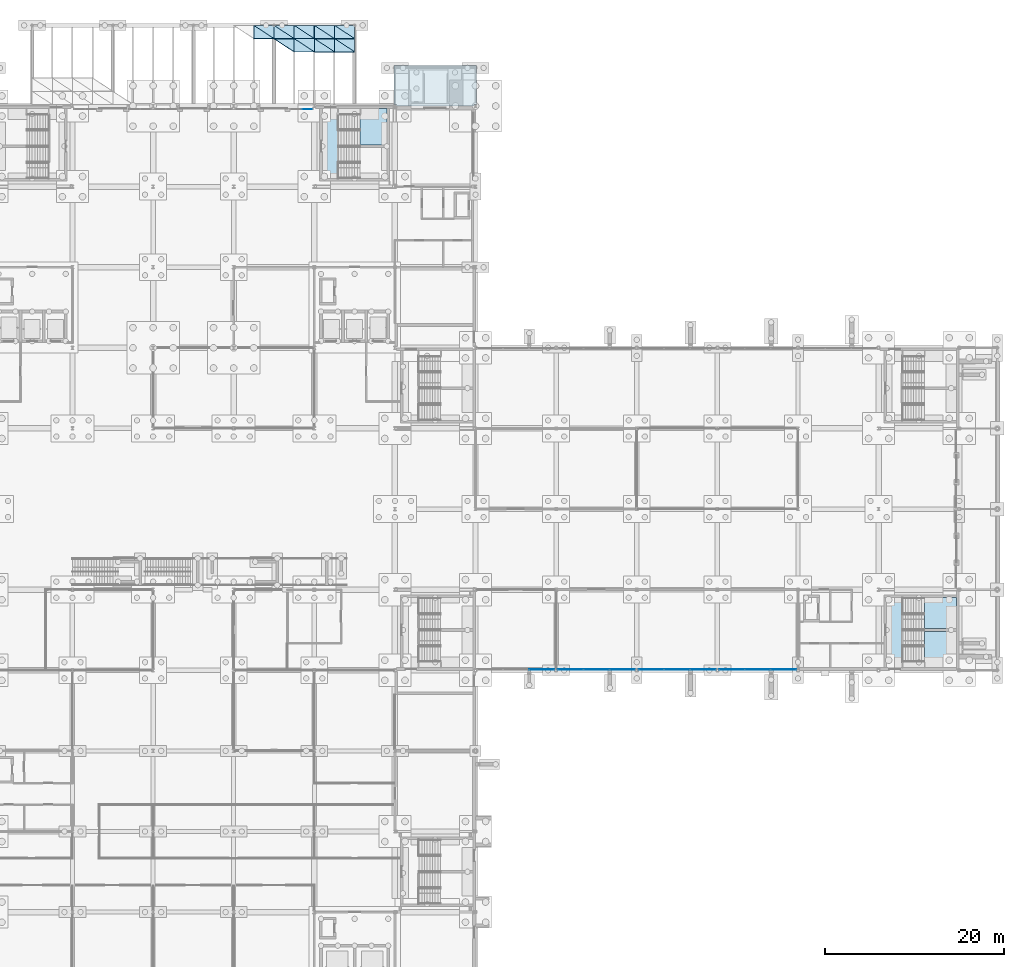
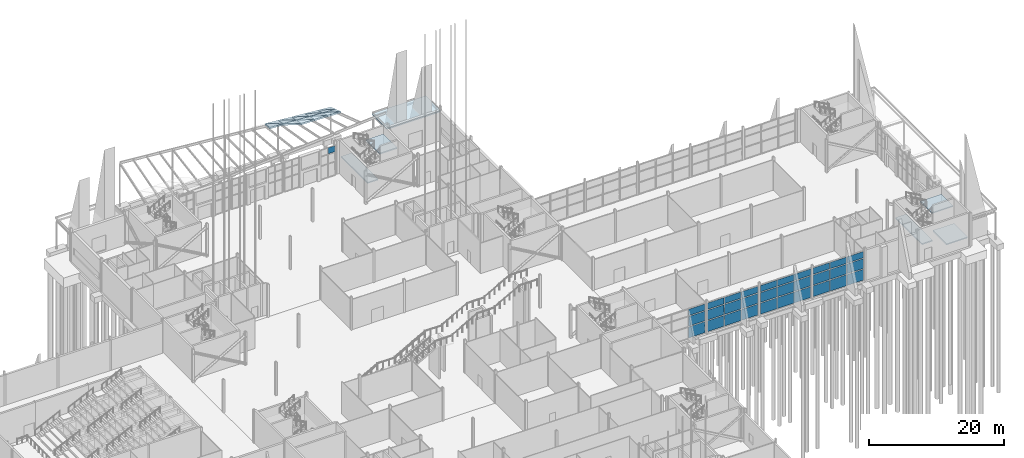
# One storey, part 94 of 139: 31 plates, 23 slabs, 7 elements without a shape of their own.
"""IFC4 building model written with IfcOpenShell, lengths in metres."""

import ifcopenshell
import ifcopenshell.guid

model = None  # the IFC model being written
_history = None  # IfcOwnerHistory: only IFC2X3 demands one
_inside = {}  # id of a spatial element -> (the spatial element, [elements in it])
_under = {}  # id of a project, library or spatial element -> (it, [spatial elements below it])
_declared = {}  # id of a project -> (the project, [libraries it declares])
_typed = {}  # id of a type object -> (the type object, [elements of that type])
_made_of = {}  # id of a material, layer set ... -> (it, [elements and type objects made of it])


def new_model(schema):
    """Start an empty IFC model of exactly this schema.

    Asked for "IFC4X3", IfcOpenShell would pick the latest addendum, in which some entities
    have other attributes; the version numbers below select the first issue.
    IFC2X3 requires an IfcOwnerHistory on every rooted entity: one is made here for all.
    """
    global model, _history
    if schema == "IFC4X3":
        model = ifcopenshell.file(schema_version=(4, 3, 0, 0))
    else:
        model = ifcopenshell.file(schema=schema)
    _inside.clear()
    _under.clear()
    _declared.clear()
    _typed.clear()
    _made_of.clear()
    _history = None
    if model.schema == "IFC2X3":
        org = make("IfcOrganization", Name="unknown")
        user = make(
            "IfcPersonAndOrganization",
            ThePerson=make("IfcPerson", FamilyName="unknown"),
            TheOrganization=org,
        )
        app = make(
            "IfcApplication",
            ApplicationDeveloper=org,
            Version="unknown",
            ApplicationFullName="unknown",
            ApplicationIdentifier="unknown",
        )
        _history = make(
            "IfcOwnerHistory",
            OwningUser=user,
            OwningApplication=app,
            ChangeAction="ADDED",
            CreationDate=0,
        )
    return model


def make(cls, **values):
    """One entity of the class cls with the attributes given. An attribute that is None is left unset."""
    return model.create_entity(
        cls, **{name: value for name, value in values.items() if value is not None}
    )


def rooted(cls, **values):
    """An entity with a GlobalId (a new one), such as an element, a storey or a relation."""
    return make(cls, GlobalId=ifcopenshell.guid.new(), OwnerHistory=_history, **values)


def si_unit(unit_type, name, prefix=None):
    """IfcSIUnit, for example si_unit("LENGTHUNIT", "METRE", prefix="MILLI")."""
    return make("IfcSIUnit", UnitType=unit_type, Prefix=prefix, Name=name)


def assignment(units):
    """IfcUnitAssignment: the units of a project."""
    return None if units is None else make("IfcUnitAssignment", Units=units)


def point(xyz):
    """IfcCartesianPoint."""
    return None if xyz is None else make("IfcCartesianPoint", Coordinates=xyz)


def direction(xyz):
    """IfcDirection."""
    return None if xyz is None else make("IfcDirection", DirectionRatios=xyz)


def frame(location, z_axis=None, x_axis=None):
    """IfcAxis2Placement3D, a coordinate frame: its origin and axes. An axis left out is left unset."""
    return make(
        "IfcAxis2Placement3D",
        Location=point(location),
        Axis=direction(z_axis),
        RefDirection=direction(x_axis),
    )


def frame_2d(location, x_axis=None):
    """IfcAxis2Placement2D, a coordinate frame in the plane: its origin and x axis."""
    return make(
        "IfcAxis2Placement2D", Location=point(location), RefDirection=direction(x_axis)
    )


def origin():
    """The frame at (0, 0, 0) with its axes left unset."""
    return frame((0.0, 0.0, 0.0))


def origin_2d():
    """The frame at (0, 0) in the plane with its x axis left unset."""
    return frame_2d((0.0, 0.0))


def place(relative_to, where):
    """IfcLocalPlacement: puts the frame where relative to a parent placement (None: the world)."""
    return make(
        "IfcLocalPlacement", PlacementRelTo=relative_to, RelativePlacement=where
    )


def context(
    kind, dimensions, precision=None, world=None, true_north=None, identifier=None
):
    """IfcGeometricRepresentationContext, for example the 3D "Model" context."""
    return make(
        "IfcGeometricRepresentationContext",
        ContextIdentifier=identifier,
        ContextType=kind,
        CoordinateSpaceDimension=dimensions,
        Precision=precision,
        WorldCoordinateSystem=world,
        TrueNorth=true_north,
    )


def subcontext(parent, identifier, kind, view, scale=None):
    """IfcGeometricRepresentationSubContext, for example "Body" below "Model"."""
    return make(
        "IfcGeometricRepresentationSubContext",
        ContextIdentifier=identifier,
        ContextType=kind,
        ParentContext=parent,
        TargetScale=scale,
        TargetView=view,
    )


def project(units=None, contexts=None):
    """IfcProject with its units and contexts."""
    return rooted(
        "IfcProject",
        Name="project",
        RepresentationContexts=contexts,
        UnitsInContext=assignment(units),
    )


def spatial(cls, under=None, at=None, **own):
    """A site, building, storey or space (cls), placed at a placement, below another one or the project."""
    s = rooted(cls, ObjectPlacement=at, **own)
    if under is not None:
        _under.setdefault(under.id(), (under, []))[1].append(s)
    return s


def polyline(points):
    """IfcPolyline through the points."""
    return make("IfcPolyline", Points=[point(p) for p in points])


def profile(cls, at=None, kind="AREA", **sizes):
    """A parametric profile (cls). Its sizes go by their IFC names, for example OverallWidth=200.0."""
    return make(cls, ProfileType=kind, Position=at, **sizes)


def rectangle(**sizes):
    """IfcRectangleProfileDef."""
    return profile("IfcRectangleProfileDef", **sizes)


def outline(outer, holes=None, kind="AREA"):
    """IfcArbitraryClosedProfileDef: a profile drawn as a closed curve; with holes, ...WithVoids."""
    if holes is None:
        return make("IfcArbitraryClosedProfileDef", ProfileType=kind, OuterCurve=outer)
    return make(
        "IfcArbitraryProfileDefWithVoids",
        ProfileType=kind,
        OuterCurve=outer,
        InnerCurves=holes,
    )


def extrude(swept, where, along, depth):
    """IfcExtrudedAreaSolid: the profile swept, set in the frame where, extruded along a direction by depth."""
    return make(
        "IfcExtrudedAreaSolid",
        SweptArea=swept,
        Position=where,
        ExtrudedDirection=direction(along),
        Depth=depth,
    )


def shape(context_of_items, identifier, shape_type, items):
    """IfcShapeRepresentation: the items that make up one representation, for example the "Body"."""
    return make(
        "IfcShapeRepresentation",
        ContextOfItems=context_of_items,
        RepresentationIdentifier=identifier,
        RepresentationType=shape_type,
        Items=items,
    )


def material(Name=None, Category=None):
    """IfcMaterial."""
    return make("IfcMaterial", Name=Name, Category=Category)


def layer(
    of_material, thickness, ventilated=None, Name=None, Category=None, Priority=None
):
    """IfcMaterialLayer: one layer of a wall or slab, of a material (None: an air gap)."""
    return make(
        "IfcMaterialLayer",
        Material=of_material,
        LayerThickness=thickness,
        IsVentilated=ventilated,
        Name=Name,
        Category=Category,
        Priority=Priority,
    )


def layer_set(layers, Name=None):
    """IfcMaterialLayerSet."""
    return make("IfcMaterialLayerSet", MaterialLayers=layers, LayerSetName=Name)


def made_of(thing, what):
    """Note that an element or type object is made of a material, layer set ...; save() writes the relation."""
    if what is not None:
        _made_of.setdefault(what.id(), (what, []))[1].append(thing)
    return thing


def type_object(cls, material=None, **own):
    """A type object (cls), such as IfcWallType, which elements share."""
    return made_of(rooted(cls, **own), material)


def element(
    cls,
    number,
    at=None,
    inside=None,
    cuts=None,
    type_object=None,
    material=None,
    context=None,
    identifier="Body",
    shape_type=None,
    held_by="IfcProductDefinitionShape",
    body=None,
    shapes=None,
    **own,
):
    """One element of the class cls, such as IfcWall. Its Tag is "e" and its number.

    at: its placement. inside: the storey or other place that contains it. cuts: it is an
    opening in that element (IfcRelVoidsElement). A single representation is given by context,
    identifier, shape_type and body (its items); several are given by shapes. held_by: the class
    of the entity that holds the representations. save() writes the other relations.
    """
    e = rooted(cls, Tag="e%d" % number, ObjectPlacement=at, **own)
    if body is not None:
        shapes = [shape(context, identifier, shape_type, body)]
    if shapes is not None:
        e.Representation = make(held_by, Representations=shapes)
    if inside is not None:
        _inside.setdefault(inside.id(), (inside, []))[1].append(e)
    if cuts is not None:
        rooted(
            "IfcRelVoidsElement", RelatingBuildingElement=cuts, RelatedOpeningElement=e
        )
    if type_object is not None:
        _typed.setdefault(type_object.id(), (type_object, []))[1].append(e)
    return made_of(e, material)


def aggregate(whole, parts):
    """IfcRelAggregates: a whole, such as a stair, and the parts it consists of."""
    return rooted("IfcRelAggregates", RelatingObject=whole, RelatedObjects=parts)


def save(model, path):
    """Write the relations noted so far, then the file.

    IfcRelAggregates (storeys below a building ...), IfcRelContainedInSpatialStructure (elements
    in a storey), IfcRelDefinesByType, IfcRelAssociatesMaterial and IfcRelDeclares: one each for
    every whole, place, type object, material and project.
    """
    for whole, parts in _under.values():
        aggregate(whole, parts)
    for where, things in _inside.values():
        rooted(
            "IfcRelContainedInSpatialStructure",
            RelatedElements=things,
            RelatingStructure=where,
        )
    for kind, things in _typed.values():
        rooted("IfcRelDefinesByType", RelatedObjects=things, RelatingType=kind)
    for what, things in _made_of.values():
        rooted("IfcRelAssociatesMaterial", RelatedObjects=things, RelatingMaterial=what)
    for by, libraries in _declared.values():
        rooted("IfcRelDeclares", RelatingContext=by, RelatedDefinitions=libraries)
    model.write(path)


model = new_model("IFC4")

# Units and contexts
model_context = context("Model", 3, precision=1e-05, world=origin(), true_north=direction((0.0, 1.0)))
body_context = subcontext(model_context, "Body", "Model", "MODEL_VIEW")
ifc_project = project(units=[si_unit("LENGTHUNIT", "METRE"), si_unit("AREAUNIT", "SQUARE_METRE"), si_unit("VOLUMEUNIT", "CUBIC_METRE"), si_unit("PLANEANGLEUNIT", "RADIAN"), si_unit("MASSUNIT", "GRAM", prefix="KILO")], contexts=[model_context])

# Site, building, storey
site_placement = place(None, origin())
site = spatial("IfcSite", under=ifc_project, at=site_placement, CompositionType="ELEMENT")
building_placement = place(site_placement, origin())
building = spatial("IfcBuilding", under=site, at=building_placement, Name="Shorebreak Coast Museum", CompositionType="ELEMENT")
storey_placement = place(building_placement, origin())
storey = spatial("IfcBuildingStorey", under=building, at=storey_placement, Name="L00", CompositionType="ELEMENT", Elevation=0.0)

# Slabs
ifc_material_1 = material(Name="Concrete N50 (50 MPa)", Category="concrete")
ifc_layer_1 = layer(ifc_material_1, 0.199951171875)
ifc_layer_set_1 = layer_set([ifc_layer_1], Name="Concrete N50 (50 MPa)")
slab_type_1 = type_object("IfcSlabType", Name="Arcade roof slab 200 concrete N50", PredefinedType="ROOF", material=ifc_layer_set_1)
slab_1_placement = place(storey_placement, frame((0.0, 0.0, 4.800048828125)))
element("IfcSlab", 1, at=slab_1_placement, inside=storey, type_object=slab_type_1, Name="Arcade roof slab north 2", PredefinedType="ROOF", context=body_context, shape_type="SweptSolid", body=[
    extrude(outline(polyline([(107.89990234375, 121.5), (117.10009765625, 121.5), (117.10009765625, 117.16357421875), (116.844482421875, 117.16357421875), (116.844482421875, 117.0), (108.155517578125, 117.0), (108.155517578125, 117.16357421875), (107.89990234375, 117.16357421875), (107.89990234375, 121.5)])), origin(), (0.0, 0.0, 1.0), 0.199951171875),
])
ifc_material_2 = material(Name="Concrete N50 (50 MPa)", Category="concrete")
ifc_layer_2 = layer(ifc_material_2, 0.25)
ifc_layer_set_2 = layer_set([ifc_layer_2], Name="Concrete N50 (50 MPa)")
slab_type_2 = type_object("IfcSlabType", Name="Canopy facet slab 250", PredefinedType="ROOF", material=ifc_layer_set_2)
slab_2_placement = place(storey_placement, frame((96.75, 123.054443359375, 6.176025390625), z_axis=(0.054837881385, 0.203511476386, 0.977535618658), x_axis=(0.0, 0.97900876126, -0.203818167436)))
element("IfcSlab", 2, at=slab_2_placement, inside=storey, type_object=slab_type_2, Name="Canopy facet CAN-N 5.13b", PredefinedType="ROOF", context=body_context, shape_type="SweptSolid", body=[
    extrude(outline(polyline([(0.0, 0.0), (1.5044813171334726, 0.0), (1.4787552447300385, 2.2533907417702914), (0.0, 0.0)])), origin(), (0.0, 0.0, -1.0), 0.25),
])
slab_3_placement = place(storey_placement, frame((96.75, 123.054443359375, 6.176025390625), z_axis=(0.028139603442, 0.203737456044, 0.97862107668), x_axis=(0.999586850138, 0.0, -0.028742460426)))
element("IfcSlab", 3, at=slab_3_placement, inside=storey, type_object=slab_type_2, Name="Canopy facet CAN-N 5.14a", PredefinedType="ROOF", context=body_context, shape_type="SweptSolid", body=[
    extrude(outline(polyline([(0.0, 0.0), (2.25092997140723, 0.0), (0.00881360602908417, 1.5044555008216203), (0.0, 0.0)])), origin(), (0.0, 0.0, -1.0), 0.25),
])
slab_4_placement = place(storey_placement, frame((99.0, 123.054443359375, 6.111328125), z_axis=(0.054343251049, 0.242139452135, 0.96871837847), x_axis=(0.0, 0.970151958675, -0.242497787781)))
element("IfcSlab", 4, at=slab_4_placement, inside=storey, type_object=slab_type_2, Name="Canopy facet CAN-N 5.14b", PredefinedType="ROOF", context=body_context, shape_type="SweptSolid", body=[
    extrude(outline(polyline([(0.0, 0.0), (1.5182161695950223, 3.469446951953614e-18), (1.4876079283150587, 2.2533297143256945), (0.0, 0.0)])), origin(), (0.0, 0.0, -1.0), 0.25),
])
slab_5_placement = place(storey_placement, frame((99.0, 123.054443359375, 6.111328125), z_axis=(0.027885231629, 0.242403487986, 0.969774696963), x_axis=(0.999586850138, 0.0, -0.028742460426)))
element("IfcSlab", 5, at=slab_5_placement, inside=storey, type_object=slab_type_2, Name="Canopy facet CAN-N 5.15a", PredefinedType="ROOF", context=body_context, shape_type="SweptSolid", body=[
    extrude(outline(polyline([(0.0, 0.0), (2.25092997140723, -3.469446951953614e-18), (0.010581940996702968, 1.5181792911723317), (0.0, 0.0)])), origin(), (0.0, 0.0, -1.0), 0.25),
])
slab_6_placement = place(storey_placement, frame((101.25, 123.054443359375, 6.046630859375), z_axis=(0.053775344312, 0.279649769206, 0.958594919102), x_axis=(0.0, 0.959983958912, -0.280054992157)))
element("IfcSlab", 6, at=slab_6_placement, inside=storey, type_object=slab_type_2, Name="Canopy facet CAN-N 5.15b", PredefinedType="ROOF", context=body_context, shape_type="SweptSolid", body=[
    extrude(outline(polyline([(0.0, 0.0), (1.5342968775173622, 0.0), (1.4989481394936093, 2.2532603339644304), (0.0, 0.0)])), origin(), (0.0, 0.0, -1.0), 0.25),
])
slab_7_placement = place(storey_placement, frame((101.25, 123.054443359375, 6.046630859375), z_axis=(0.027697240435, 0.279947551257, 0.959615668597), x_axis=(0.999583728093, 0.0, -0.02885083243)))
element("IfcSlab", 7, at=slab_7_placement, inside=storey, type_object=slab_type_2, Name="Canopy facet CAN-N 5.16a", PredefinedType="ROOF", context=body_context, shape_type="SweptSolid", body=[
    extrude(outline(polyline([(0.0, 0.0), (2.250937001838507, 3.469446951953614e-18), (0.012396842059664572, 1.5342467945759168), (0.0, 0.0)])), origin(), (0.0, 0.0, -1.0), 0.25),
])
slab_8_placement = place(storey_placement, frame((103.5, 123.054443359375, 5.981689453125), z_axis=(0.053044240493, 0.315641233544, 0.947394806951), x_axis=(0.0, 0.948730464543, -0.316086231349)))
element("IfcSlab", 8, at=slab_8_placement, inside=storey, type_object=slab_type_2, Name="Canopy facet CAN-N 5.16b", PredefinedType="ROOF", context=body_context, shape_type="SweptSolid", body=[
    extrude(outline(polyline([(0.0, 0.0), (1.5524961468745528, 0.0), (1.512676689995579, 2.253172098432159), (0.0, 0.0)])), origin(), (0.0, 0.0, -1.0), 0.25),
])
slab_9_placement = place(storey_placement, frame((92.25, 124.52734375, 6.12158203125), z_axis=(0.055471681236, 0.123843753458, 0.990750027661), x_axis=(0.998436258871, 0.0, -0.055902030119)))
element("IfcSlab", 9, at=slab_9_placement, inside=storey, type_object=slab_type_2, Name="Canopy facet CAN-N 6.12a", PredefinedType="ROOF", context=body_context, shape_type="SweptSolid", body=[
    extrude(outline(polyline([(0.0, 0.0), (2.2535239280512016, -1.734723475976807e-18), (0.010290559255320094, 1.4840811060327537), (0.0, 0.0)])), origin(), (0.0, 0.0, -1.0), 0.25),
])
slab_10_placement = place(storey_placement, frame((94.5, 124.52734375, 5.99560546875), z_axis=(0.081921733199, 0.163952115911, 0.983060798383), x_axis=(0.0, 0.986376239868, -0.16450505592)))
element("IfcSlab", 10, at=slab_10_placement, inside=storey, type_object=slab_type_2, Name="Canopy facet CAN-N 6.12b", PredefinedType="ROOF", context=body_context, shape_type="SweptSolid", body=[
    extrude(outline(polyline([(0.0, 0.0), (1.4929964758645513, 0.0), (1.4621517778796094, 2.257588282793437), (0.0, 0.0)])), origin(), (0.0, 0.0, -1.0), 0.25),
])
slab_11_placement = place(storey_placement, frame((94.5, 124.52734375, 5.99560546875), z_axis=(0.05524930595, 0.164253789352, 0.984869639534), x_axis=(0.998430206264, 0.0, -0.056010027847)))
element("IfcSlab", 11, at=slab_11_placement, inside=storey, type_object=slab_type_2, Name="Canopy facet CAN-N 6.13a", PredefinedType="ROOF", context=body_context, shape_type="SweptSolid", body=[
    extrude(outline(polyline([(0.0, 0.0), (2.25353758919113, 3.469446951953614e-18), (0.013756369144078635, 1.492933099389233), (0.0, 0.0)])), origin(), (0.0, 0.0, -1.0), 0.25),
])
slab_12_placement = place(storey_placement, frame((96.75, 124.52734375, 5.869384765625), z_axis=(0.081310671473, 0.203330598225, 0.975728057673), x_axis=(0.0, 0.978969616633, -0.20400610214)))
element("IfcSlab", 12, at=slab_12_placement, inside=storey, type_object=slab_type_2, Name="Canopy facet CAN-N 6.13b", PredefinedType="ROOF", context=body_context, shape_type="SweptSolid", body=[
    extrude(outline(polyline([(0.0, 0.0), (1.504292089335304, -3.469446951953614e-18), (1.4660409451840952, 2.257474938946416), (0.0, 0.0)])), origin(), (0.0, 0.0, -1.0), 0.25),
])
slab_13_placement = place(storey_placement, frame((96.75, 124.52734375, 5.869384765625), z_axis=(0.054835695344, 0.203699152791, 0.977496650464), x_axis=(0.998430206264, 0.0, -0.056010027847)))
element("IfcSlab", 13, at=slab_13_placement, inside=storey, type_object=slab_type_2, Name="Canopy facet CAN-N 6.14a", PredefinedType="ROOF", context=body_context, shape_type="SweptSolid", body=[
    extrude(outline(polyline([(0.0, 0.0), (2.25353758919113, 0.0), (0.017188624268495867, 1.5041938841893123), (0.0, 0.0)])), origin(), (0.0, 0.0, -1.0), 0.25),
])
slab_14_placement = place(storey_placement, frame((99.0, 124.52734375, 5.7431640625), z_axis=(0.080582296403, 0.241746889208, 0.96698755683), x_axis=(0.0, 0.970142500145, -0.242535625036)))
element("IfcSlab", 14, at=slab_14_placement, inside=storey, type_object=slab_type_2, Name="Canopy facet CAN-N 6.14b", PredefinedType="ROOF", context=body_context, shape_type="SweptSolid", body=[
    extrude(outline(polyline([(0.0, 0.0), (1.517979317244002, 0.0), (1.4725038875496894, 2.2573409656704757), (0.0, 0.0)])), origin(), (0.0, 0.0, -1.0), 0.25),
])
slab_15_placement = place(storey_placement, frame((99.0, 124.52734375, 5.7431640625), z_axis=(0.054342722792, 0.242177240452, 0.968708961808), x_axis=(0.998430206264, 0.0, -0.056010027847)))
element("IfcSlab", 15, at=slab_15_placement, inside=storey, type_object=slab_type_2, Name="Canopy facet CAN-N 6.15a", PredefinedType="ROOF", context=body_context, shape_type="SweptSolid", body=[
    extrude(outline(polyline([(0.0, 0.0), (2.25353758919113, 3.469446951953614e-18), (0.020620879392913103, 1.5178392493652382), (0.0, 0.0)])), origin(), (0.0, 0.0, -1.0), 0.25),
])
slab_16_placement = place(storey_placement, frame((101.25, 124.52734375, 5.616943359375), z_axis=(0.079746399209, 0.279059515004, 0.956956790508), x_axis=(0.0, 0.960014258914, -0.279951107664)))
element("IfcSlab", 16, at=slab_16_placement, inside=storey, type_object=slab_type_2, Name="Canopy facet CAN-N 6.15b", PredefinedType="ROOF", context=body_context, shape_type="SweptSolid", body=[
    extrude(outline(polyline([(0.0, 0.0), (1.5339941426144195, 6.938893903907228e-18), (1.4815033099274189, 2.2571887299213205), (0.0, 0.0)])), origin(), (0.0, 0.0, -1.0), 0.25),
])
slab_17_placement = place(storey_placement, frame((101.25, 124.52734375, 5.616943359375), z_axis=(0.053673319182, 0.279547571724, 0.958630444932), x_axis=(0.998436258871, 0.0, -0.055902030119)))
element("IfcSlab", 17, at=slab_17_placement, inside=storey, type_object=slab_type_2, Name="Canopy facet CAN-N 6.16a", PredefinedType="ROOF", context=body_context, shape_type="SweptSolid", body=[
    extrude(outline(polyline([(0.0, 0.0), (2.2535239280512016, -6.938893903907228e-18), (0.02400675561022287, 1.5338062802259023), (0.0, 0.0)])), origin(), (0.0, 0.0, -1.0), 0.25),
])
slab_18_placement = place(storey_placement, frame((103.5, 124.52734375, 5.490966796875), z_axis=(0.078809742115, 0.31529122956, 0.945716905374), x_axis=(0.0, 0.94866756963, -0.316274947368)))
element("IfcSlab", 18, at=slab_18_placement, inside=storey, type_object=slab_type_2, Name="Canopy facet CAN-N 6.16b", PredefinedType="ROOF", context=body_context, shape_type="SweptSolid", body=[
    extrude(outline(polyline([(0.0, 0.0), (1.552341723428756, -6.938893903907228e-18), (1.4930401707972052, 2.257020065452562), (0.0, 0.0)])), origin(), (0.0, 0.0, -1.0), 0.25),
])

# Curtain wall, plate
ifc_material_3 = material(Name="Aluminium", Category="aluminium")
ifc_layer_3 = layer(ifc_material_3, 0.1201171875)
ifc_layer_set_3 = layer_set([ifc_layer_3], Name="Aluminium")
curtain_wall_type_1 = type_object("IfcCurtainWallType", Name="Entrance sidelight curtain wall", PredefinedType="NOTDEFINED", material=ifc_layer_set_3)
curtain_wall_1_placement = place(storey_placement, origin())
curtain_wall_1 = element("IfcCurtainWall", 19, at=curtain_wall_1_placement, inside=storey, type_object=curtain_wall_type_1, Name="Entrance glazing ENT-N 10", PredefinedType="NOTDEFINED")
ifc_material_4 = material(Name="Glass", Category="glass")
ifc_layer_4 = layer(ifc_material_4, 0.028076171875)
ifc_layer_set_4 = layer_set([ifc_layer_4], Name="Glass")
plate_type_1 = type_object("IfcPlateType", Name="Entrance glass panel 28", PredefinedType="CURTAIN_PANEL", material=ifc_layer_set_4)
plate_1_placement = place(storey_placement, frame((98.19580078125, 116.6416015625, 4.260009765625), z_axis=(0.0, 0.0, 1.0), x_axis=(1.0, 0.0, 0.0)))
plate_1 = element("IfcPlate", 20, at=plate_1_placement, type_object=plate_type_1, Name="CW1 panel 2.3", PredefinedType="CURTAIN_PANEL", context=body_context, shape_type="SweptSolid", body=[
    extrude(rectangle(XDim=1.197265625, YDim=0.028076171875, at=origin_2d()), origin(), (0.0, 0.0, 1.0), 1.08642578125),
])
aggregate(curtain_wall_1, [plate_1])

# Stair, slabs
ifc_material_5 = material(Name="Concrete N40 (40 MPa)", Category="concrete")
stair_type = type_object("IfcStairType", Name="Stair run 6 m", PredefinedType="DOUBLE_RETURN_STAIR", material=ifc_material_5)
stair_1_placement = place(storey_placement, origin())
stair_1 = element("IfcStair", 21, at=stair_1_placement, inside=storey, type_object=stair_type, Name="Exit stair ST07-L00", PredefinedType="DOUBLE_RETURN_STAIR")
ifc_material_6 = material(Name="Concrete N40 (40 MPa)", Category="concrete")
ifc_layer_5 = layer(ifc_material_6, 0.199951171875)
ifc_layer_set_5 = layer_set([ifc_layer_5], Name="Concrete N40 (40 MPa)")
slab_type_3 = type_object("IfcSlabType", Name="Stair landing 200", PredefinedType="LANDING", material=ifc_layer_set_5)
slab_19_placement = place(storey_placement, frame((0.0, 0.0, 2.800048828125)))
slab_19 = element("IfcSlab", 22, at=slab_19_placement, type_object=slab_type_3, Name="ST07-L00 landing 1", PredefinedType="LANDING", context=body_context, shape_type="SweptSolid", body=[
    extrude(outline(polyline([(162.89990234375, 54.300048828125), (164.699951171875, 54.300048828125), (164.699951171875, 62.10009765625), (162.89990234375, 62.10009765625), (162.89990234375, 54.300048828125)])), origin(), (0.0, 0.0, 1.0), 0.199951171875),
])
slab_20_placement = place(storey_placement, frame((0.0, 0.0, 1.300048828125)))
slab_20 = element("IfcSlab", 23, at=slab_20_placement, type_object=slab_type_3, Name="ST07-L00 landing 2", PredefinedType="LANDING", context=body_context, shape_type="SweptSolid", body=[
    extrude(outline(polyline([(167.10009765625, 54.300048828125), (170.699951171875, 54.300048828125), (170.699951171875, 58.35009765625), (167.10009765625, 58.35009765625), (167.10009765625, 54.300048828125)])), origin(), (0.0, 0.0, 1.0), 0.199951171875),
])
slab_21_placement = place(storey_placement, frame((0.0, 0.0, 4.300048828125)))
slab_21 = element("IfcSlab", 24, at=slab_21_placement, type_object=slab_type_3, Name="ST07-L00 landing 3", PredefinedType="LANDING", context=body_context, shape_type="SweptSolid", body=[
    extrude(outline(polyline([(167.10009765625, 58.64990234375), (170.699951171875, 58.64990234375), (170.699951171875, 62.10009765625), (167.10009765625, 62.10009765625), (167.10009765625, 58.64990234375)])), origin(), (0.0, 0.0, 1.0), 0.199951171875),
])
aggregate(stair_1, [slab_19, slab_20, slab_21])

stair_2_placement = place(storey_placement, origin())
stair_2 = element("IfcStair", 25, at=stair_2_placement, inside=storey, type_object=stair_type, Name="Exit stair ST10-L00", PredefinedType="DOUBLE_RETURN_STAIR")
slab_22_placement = place(storey_placement, frame((0.0, 0.0, 2.800048828125)))
slab_22 = element("IfcSlab", 26, at=slab_22_placement, type_object=slab_type_3, Name="ST10-L00 landing 1", PredefinedType="LANDING", context=body_context, shape_type="SweptSolid", body=[
    extrude(outline(polyline([(99.89990234375, 108.89990234375), (101.699951171875, 108.89990234375), (101.699951171875, 116.699951171875), (99.89990234375, 116.699951171875), (99.89990234375, 108.89990234375)])), origin(), (0.0, 0.0, 1.0), 0.199951171875),
])
slab_23_placement = place(storey_placement, frame((0.0, 0.0, 4.300048828125)))
slab_23 = element("IfcSlab", 27, at=slab_23_placement, type_object=slab_type_3, Name="ST10-L00 landing 3", PredefinedType="LANDING", context=body_context, shape_type="SweptSolid", body=[
    extrude(outline(polyline([(104.10009765625, 112.64990234375), (107.10009765625, 112.64990234375), (107.10009765625, 116.699951171875), (104.10009765625, 116.699951171875), (104.10009765625, 112.64990234375)])), origin(), (0.0, 0.0, 1.0), 0.199951171875),
])
aggregate(stair_2, [slab_22, slab_23])

# Curtain wall, plates
ifc_material_7 = material(Name="Aluminium", Category="aluminium")
ifc_layer_6 = layer(ifc_material_7, 0.14990234375)
ifc_layer_set_6 = layer_set([ifc_layer_6], Name="Aluminium")
curtain_wall_type_2 = type_object("IfcCurtainWallType", Name="Storefront curtain wall", PredefinedType="NOTDEFINED", material=ifc_layer_set_6)
curtain_wall_2_placement = place(storey_placement, origin())
curtain_wall_2 = element("IfcCurtainWall", 28, at=curtain_wall_2_placement, inside=storey, type_object=curtain_wall_type_2, Name="Storefront L00 S 8", PredefinedType="NOTDEFINED")
ifc_material_8 = material(Name="Glass", Category="glass")
ifc_layer_7 = layer(ifc_material_8, 0.031982421875)
ifc_layer_set_7 = layer_set([ifc_layer_7], Name="Glass")
plate_type_2 = type_object("IfcPlateType", Name="Storefront glass panel 32", PredefinedType="CURTAIN_PANEL", material=ifc_layer_set_7)
plate_2_placement = place(storey_placement, frame((124.387451171875, 54.074951171875, 0.14990234375), z_axis=(0.0, 0.0, 1.0), x_axis=(1.0, 0.0, 0.0)))
plate_2 = element("IfcPlate", 29, at=plate_2_placement, type_object=plate_type_2, Name="CW8 panel 3.1", PredefinedType="CURTAIN_PANEL", context=body_context, shape_type="SweptSolid", body=[
    extrude(rectangle(XDim=2.824951171875, YDim=0.031982421875, at=origin_2d()), origin(), (0.0, 0.0, 1.0), 1.962890625),
])
plate_3_placement = place(storey_placement, frame((124.387451171875, 54.074951171875, 2.262939453125), z_axis=(0.0, 0.0, 1.0), x_axis=(1.0, 0.0, 0.0)))
plate_3 = element("IfcPlate", 30, at=plate_3_placement, type_object=plate_type_2, Name="CW8 panel 3.2", PredefinedType="CURTAIN_PANEL", context=body_context, shape_type="SweptSolid", body=[
    extrude(rectangle(XDim=2.824951171875, YDim=0.031982421875, at=origin_2d()), origin(), (0.0, 0.0, 1.0), 1.76416015625),
])
plate_4_placement = place(storey_placement, frame((124.387451171875, 54.074951171875, 4.17724609375), z_axis=(0.0, 0.0, 1.0), x_axis=(1.0, 0.0, 0.0)))
plate_4 = element("IfcPlate", 31, at=plate_4_placement, type_object=plate_type_2, Name="CW8 panel 3.3", PredefinedType="CURTAIN_PANEL", context=body_context, shape_type="SweptSolid", body=[
    extrude(rectangle(XDim=2.824951171875, YDim=0.031982421875, at=origin_2d()), origin(), (0.0, 0.0, 1.0), 1.142333984375),
])
aggregate(curtain_wall_2, [plate_2, plate_3, plate_4])

curtain_wall_3_placement = place(storey_placement, origin())
curtain_wall_3 = element("IfcCurtainWall", 32, at=curtain_wall_3_placement, inside=storey, type_object=curtain_wall_type_2, Name="Storefront L00 S 9", PredefinedType="NOTDEFINED")
plate_5_placement = place(storey_placement, frame((127.612548828125, 54.074951171875, 0.14990234375), z_axis=(0.0, 0.0, 1.0), x_axis=(1.0, 0.0, 0.0)))
plate_5 = element("IfcPlate", 33, at=plate_5_placement, type_object=plate_type_2, Name="CW8 panel 1.1", PredefinedType="CURTAIN_PANEL", context=body_context, shape_type="SweptSolid", body=[
    extrude(rectangle(XDim=2.824951171875, YDim=0.031982421875, at=origin_2d()), origin(), (0.0, 0.0, 1.0), 1.962890625),
])
plate_6_placement = place(storey_placement, frame((127.612548828125, 54.074951171875, 2.262939453125), z_axis=(0.0, 0.0, 1.0), x_axis=(1.0, 0.0, 0.0)))
plate_6 = element("IfcPlate", 34, at=plate_6_placement, type_object=plate_type_2, Name="CW8 panel 1.2", PredefinedType="CURTAIN_PANEL", context=body_context, shape_type="SweptSolid", body=[
    extrude(rectangle(XDim=2.824951171875, YDim=0.031982421875, at=origin_2d()), origin(), (0.0, 0.0, 1.0), 1.76416015625),
])
plate_7_placement = place(storey_placement, frame((127.612548828125, 54.074951171875, 4.17724609375), z_axis=(0.0, 0.0, 1.0), x_axis=(1.0, 0.0, 0.0)))
plate_7 = element("IfcPlate", 35, at=plate_7_placement, type_object=plate_type_2, Name="CW8 panel 1.3", PredefinedType="CURTAIN_PANEL", context=body_context, shape_type="SweptSolid", body=[
    extrude(rectangle(XDim=2.824951171875, YDim=0.031982421875, at=origin_2d()), origin(), (0.0, 0.0, 1.0), 1.142333984375),
])
plate_8_placement = place(storey_placement, frame((130.5, 54.074951171875, 0.14990234375), z_axis=(0.0, 0.0, 1.0), x_axis=(1.0, 0.0, 0.0)))
plate_8 = element("IfcPlate", 36, at=plate_8_placement, type_object=plate_type_2, Name="CW8 panel 2.1", PredefinedType="CURTAIN_PANEL", context=body_context, shape_type="SweptSolid", body=[
    extrude(rectangle(XDim=2.85009765625, YDim=0.031982421875, at=origin_2d()), origin(), (0.0, 0.0, 1.0), 1.962890625),
])
plate_9_placement = place(storey_placement, frame((130.5, 54.074951171875, 2.262939453125), z_axis=(0.0, 0.0, 1.0), x_axis=(1.0, 0.0, 0.0)))
plate_9 = element("IfcPlate", 37, at=plate_9_placement, type_object=plate_type_2, Name="CW8 panel 2.2", PredefinedType="CURTAIN_PANEL", context=body_context, shape_type="SweptSolid", body=[
    extrude(rectangle(XDim=2.85009765625, YDim=0.031982421875, at=origin_2d()), origin(), (0.0, 0.0, 1.0), 1.76416015625),
])
plate_10_placement = place(storey_placement, frame((130.5, 54.074951171875, 4.17724609375), z_axis=(0.0, 0.0, 1.0), x_axis=(1.0, 0.0, 0.0)))
plate_10 = element("IfcPlate", 38, at=plate_10_placement, type_object=plate_type_2, Name="CW8 panel 2.3", PredefinedType="CURTAIN_PANEL", context=body_context, shape_type="SweptSolid", body=[
    extrude(rectangle(XDim=2.85009765625, YDim=0.031982421875, at=origin_2d()), origin(), (0.0, 0.0, 1.0), 1.142333984375),
])
plate_11_placement = place(storey_placement, frame((133.387451171875, 54.074951171875, 0.14990234375), z_axis=(0.0, 0.0, 1.0), x_axis=(1.0, 0.0, 0.0)))
plate_11 = element("IfcPlate", 39, at=plate_11_placement, type_object=plate_type_2, Name="CW8 panel 3.1", PredefinedType="CURTAIN_PANEL", context=body_context, shape_type="SweptSolid", body=[
    extrude(rectangle(XDim=2.824951171875, YDim=0.031982421875, at=origin_2d()), origin(), (0.0, 0.0, 1.0), 1.962890625),
])
plate_12_placement = place(storey_placement, frame((133.387451171875, 54.074951171875, 2.262939453125), z_axis=(0.0, 0.0, 1.0), x_axis=(1.0, 0.0, 0.0)))
plate_12 = element("IfcPlate", 40, at=plate_12_placement, type_object=plate_type_2, Name="CW8 panel 3.2", PredefinedType="CURTAIN_PANEL", context=body_context, shape_type="SweptSolid", body=[
    extrude(rectangle(XDim=2.824951171875, YDim=0.031982421875, at=origin_2d()), origin(), (0.0, 0.0, 1.0), 1.76416015625),
])
plate_13_placement = place(storey_placement, frame((133.387451171875, 54.074951171875, 4.17724609375), z_axis=(0.0, 0.0, 1.0), x_axis=(1.0, 0.0, 0.0)))
plate_13 = element("IfcPlate", 41, at=plate_13_placement, type_object=plate_type_2, Name="CW8 panel 3.3", PredefinedType="CURTAIN_PANEL", context=body_context, shape_type="SweptSolid", body=[
    extrude(rectangle(XDim=2.824951171875, YDim=0.031982421875, at=origin_2d()), origin(), (0.0, 0.0, 1.0), 1.142333984375),
])
aggregate(curtain_wall_3, [plate_5, plate_6, plate_7, plate_8, plate_9, plate_10, plate_11, plate_12, plate_13])

curtain_wall_4_placement = place(storey_placement, origin())
curtain_wall_4 = element("IfcCurtainWall", 42, at=curtain_wall_4_placement, inside=storey, type_object=curtain_wall_type_2, Name="Storefront L00 S 10", PredefinedType="NOTDEFINED")
plate_14_placement = place(storey_placement, frame((136.612548828125, 54.074951171875, 0.14990234375), z_axis=(0.0, 0.0, 1.0), x_axis=(1.0, 0.0, 0.0)))
plate_14 = element("IfcPlate", 43, at=plate_14_placement, type_object=plate_type_2, Name="CW8 panel 1.1", PredefinedType="CURTAIN_PANEL", context=body_context, shape_type="SweptSolid", body=[
    extrude(rectangle(XDim=2.824951171875, YDim=0.031982421875, at=origin_2d()), origin(), (0.0, 0.0, 1.0), 1.962890625),
])
plate_15_placement = place(storey_placement, frame((136.612548828125, 54.074951171875, 2.262939453125), z_axis=(0.0, 0.0, 1.0), x_axis=(1.0, 0.0, 0.0)))
plate_15 = element("IfcPlate", 44, at=plate_15_placement, type_object=plate_type_2, Name="CW8 panel 1.2", PredefinedType="CURTAIN_PANEL", context=body_context, shape_type="SweptSolid", body=[
    extrude(rectangle(XDim=2.824951171875, YDim=0.031982421875, at=origin_2d()), origin(), (0.0, 0.0, 1.0), 1.76416015625),
])
plate_16_placement = place(storey_placement, frame((136.612548828125, 54.074951171875, 4.17724609375), z_axis=(0.0, 0.0, 1.0), x_axis=(1.0, 0.0, 0.0)))
plate_16 = element("IfcPlate", 45, at=plate_16_placement, type_object=plate_type_2, Name="CW8 panel 1.3", PredefinedType="CURTAIN_PANEL", context=body_context, shape_type="SweptSolid", body=[
    extrude(rectangle(XDim=2.824951171875, YDim=0.031982421875, at=origin_2d()), origin(), (0.0, 0.0, 1.0), 1.142333984375),
])
plate_17_placement = place(storey_placement, frame((139.5, 54.074951171875, 0.14990234375), z_axis=(0.0, 0.0, 1.0), x_axis=(1.0, 0.0, 0.0)))
plate_17 = element("IfcPlate", 46, at=plate_17_placement, type_object=plate_type_2, Name="CW8 panel 2.1", PredefinedType="CURTAIN_PANEL", context=body_context, shape_type="SweptSolid", body=[
    extrude(rectangle(XDim=2.85009765625, YDim=0.031982421875, at=origin_2d()), origin(), (0.0, 0.0, 1.0), 1.962890625),
])
plate_18_placement = place(storey_placement, frame((139.5, 54.074951171875, 2.262939453125), z_axis=(0.0, 0.0, 1.0), x_axis=(1.0, 0.0, 0.0)))
plate_18 = element("IfcPlate", 47, at=plate_18_placement, type_object=plate_type_2, Name="CW8 panel 2.2", PredefinedType="CURTAIN_PANEL", context=body_context, shape_type="SweptSolid", body=[
    extrude(rectangle(XDim=2.85009765625, YDim=0.031982421875, at=origin_2d()), origin(), (0.0, 0.0, 1.0), 1.76416015625),
])
plate_19_placement = place(storey_placement, frame((139.5, 54.074951171875, 4.17724609375), z_axis=(0.0, 0.0, 1.0), x_axis=(1.0, 0.0, 0.0)))
plate_19 = element("IfcPlate", 48, at=plate_19_placement, type_object=plate_type_2, Name="CW8 panel 2.3", PredefinedType="CURTAIN_PANEL", context=body_context, shape_type="SweptSolid", body=[
    extrude(rectangle(XDim=2.85009765625, YDim=0.031982421875, at=origin_2d()), origin(), (0.0, 0.0, 1.0), 1.142333984375),
])
plate_20_placement = place(storey_placement, frame((142.387451171875, 54.074951171875, 0.14990234375), z_axis=(0.0, 0.0, 1.0), x_axis=(1.0, 0.0, 0.0)))
plate_20 = element("IfcPlate", 49, at=plate_20_placement, type_object=plate_type_2, Name="CW8 panel 3.1", PredefinedType="CURTAIN_PANEL", context=body_context, shape_type="SweptSolid", body=[
    extrude(rectangle(XDim=2.824951171875, YDim=0.031982421875, at=origin_2d()), origin(), (0.0, 0.0, 1.0), 1.962890625),
])
plate_21_placement = place(storey_placement, frame((142.387451171875, 54.074951171875, 2.262939453125), z_axis=(0.0, 0.0, 1.0), x_axis=(1.0, 0.0, 0.0)))
plate_21 = element("IfcPlate", 50, at=plate_21_placement, type_object=plate_type_2, Name="CW8 panel 3.2", PredefinedType="CURTAIN_PANEL", context=body_context, shape_type="SweptSolid", body=[
    extrude(rectangle(XDim=2.824951171875, YDim=0.031982421875, at=origin_2d()), origin(), (0.0, 0.0, 1.0), 1.76416015625),
])
plate_22_placement = place(storey_placement, frame((142.387451171875, 54.074951171875, 4.17724609375), z_axis=(0.0, 0.0, 1.0), x_axis=(1.0, 0.0, 0.0)))
plate_22 = element("IfcPlate", 51, at=plate_22_placement, type_object=plate_type_2, Name="CW8 panel 3.3", PredefinedType="CURTAIN_PANEL", context=body_context, shape_type="SweptSolid", body=[
    extrude(rectangle(XDim=2.824951171875, YDim=0.031982421875, at=origin_2d()), origin(), (0.0, 0.0, 1.0), 1.142333984375),
])
aggregate(curtain_wall_4, [plate_14, plate_15, plate_16, plate_17, plate_18, plate_19, plate_20, plate_21, plate_22])

curtain_wall_5_placement = place(storey_placement, origin())
curtain_wall_5 = element("IfcCurtainWall", 52, at=curtain_wall_5_placement, inside=storey, type_object=curtain_wall_type_2, Name="Storefront L00 S 11", PredefinedType="NOTDEFINED")
plate_23_placement = place(storey_placement, frame((145.612548828125, 54.074951171875, 0.14990234375), z_axis=(0.0, 0.0, 1.0), x_axis=(1.0, 0.0, 0.0)))
plate_23 = element("IfcPlate", 53, at=plate_23_placement, type_object=plate_type_2, Name="CW8 panel 1.1", PredefinedType="CURTAIN_PANEL", context=body_context, shape_type="SweptSolid", body=[
    extrude(rectangle(XDim=2.824951171875, YDim=0.031982421875, at=origin_2d()), origin(), (0.0, 0.0, 1.0), 1.962890625),
])
plate_24_placement = place(storey_placement, frame((145.612548828125, 54.074951171875, 2.262939453125), z_axis=(0.0, 0.0, 1.0), x_axis=(1.0, 0.0, 0.0)))
plate_24 = element("IfcPlate", 54, at=plate_24_placement, type_object=plate_type_2, Name="CW8 panel 1.2", PredefinedType="CURTAIN_PANEL", context=body_context, shape_type="SweptSolid", body=[
    extrude(rectangle(XDim=2.824951171875, YDim=0.031982421875, at=origin_2d()), origin(), (0.0, 0.0, 1.0), 1.76416015625),
])
plate_25_placement = place(storey_placement, frame((145.612548828125, 54.074951171875, 4.17724609375), z_axis=(0.0, 0.0, 1.0), x_axis=(1.0, 0.0, 0.0)))
plate_25 = element("IfcPlate", 55, at=plate_25_placement, type_object=plate_type_2, Name="CW8 panel 1.3", PredefinedType="CURTAIN_PANEL", context=body_context, shape_type="SweptSolid", body=[
    extrude(rectangle(XDim=2.824951171875, YDim=0.031982421875, at=origin_2d()), origin(), (0.0, 0.0, 1.0), 1.142333984375),
])
plate_26_placement = place(storey_placement, frame((148.5, 54.074951171875, 0.14990234375), z_axis=(0.0, 0.0, 1.0), x_axis=(1.0, 0.0, 0.0)))
plate_26 = element("IfcPlate", 56, at=plate_26_placement, type_object=plate_type_2, Name="CW8 panel 2.1", PredefinedType="CURTAIN_PANEL", context=body_context, shape_type="SweptSolid", body=[
    extrude(rectangle(XDim=2.85009765625, YDim=0.031982421875, at=origin_2d()), origin(), (0.0, 0.0, 1.0), 1.962890625),
])
plate_27_placement = place(storey_placement, frame((148.5, 54.074951171875, 2.262939453125), z_axis=(0.0, 0.0, 1.0), x_axis=(1.0, 0.0, 0.0)))
plate_27 = element("IfcPlate", 57, at=plate_27_placement, type_object=plate_type_2, Name="CW8 panel 2.2", PredefinedType="CURTAIN_PANEL", context=body_context, shape_type="SweptSolid", body=[
    extrude(rectangle(XDim=2.85009765625, YDim=0.031982421875, at=origin_2d()), origin(), (0.0, 0.0, 1.0), 1.76416015625),
])
plate_28_placement = place(storey_placement, frame((148.5, 54.074951171875, 4.17724609375), z_axis=(0.0, 0.0, 1.0), x_axis=(1.0, 0.0, 0.0)))
plate_28 = element("IfcPlate", 58, at=plate_28_placement, type_object=plate_type_2, Name="CW8 panel 2.3", PredefinedType="CURTAIN_PANEL", context=body_context, shape_type="SweptSolid", body=[
    extrude(rectangle(XDim=2.85009765625, YDim=0.031982421875, at=origin_2d()), origin(), (0.0, 0.0, 1.0), 1.142333984375),
])
plate_29_placement = place(storey_placement, frame((151.387451171875, 54.074951171875, 0.14990234375), z_axis=(0.0, 0.0, 1.0), x_axis=(1.0, 0.0, 0.0)))
plate_29 = element("IfcPlate", 59, at=plate_29_placement, type_object=plate_type_2, Name="CW8 panel 3.1", PredefinedType="CURTAIN_PANEL", context=body_context, shape_type="SweptSolid", body=[
    extrude(rectangle(XDim=2.824951171875, YDim=0.031982421875, at=origin_2d()), origin(), (0.0, 0.0, 1.0), 1.962890625),
])
plate_30_placement = place(storey_placement, frame((151.387451171875, 54.074951171875, 2.262939453125), z_axis=(0.0, 0.0, 1.0), x_axis=(1.0, 0.0, 0.0)))
plate_30 = element("IfcPlate", 60, at=plate_30_placement, type_object=plate_type_2, Name="CW8 panel 3.2", PredefinedType="CURTAIN_PANEL", context=body_context, shape_type="SweptSolid", body=[
    extrude(rectangle(XDim=2.824951171875, YDim=0.031982421875, at=origin_2d()), origin(), (0.0, 0.0, 1.0), 1.76416015625),
])
plate_31_placement = place(storey_placement, frame((151.387451171875, 54.074951171875, 4.17724609375), z_axis=(0.0, 0.0, 1.0), x_axis=(1.0, 0.0, 0.0)))
plate_31 = element("IfcPlate", 61, at=plate_31_placement, type_object=plate_type_2, Name="CW8 panel 3.3", PredefinedType="CURTAIN_PANEL", context=body_context, shape_type="SweptSolid", body=[
    extrude(rectangle(XDim=2.824951171875, YDim=0.031982421875, at=origin_2d()), origin(), (0.0, 0.0, 1.0), 1.142333984375),
])
aggregate(curtain_wall_5, [plate_23, plate_24, plate_25, plate_26, plate_27, plate_28, plate_29, plate_30, plate_31])

save(model, "model.ifc")
